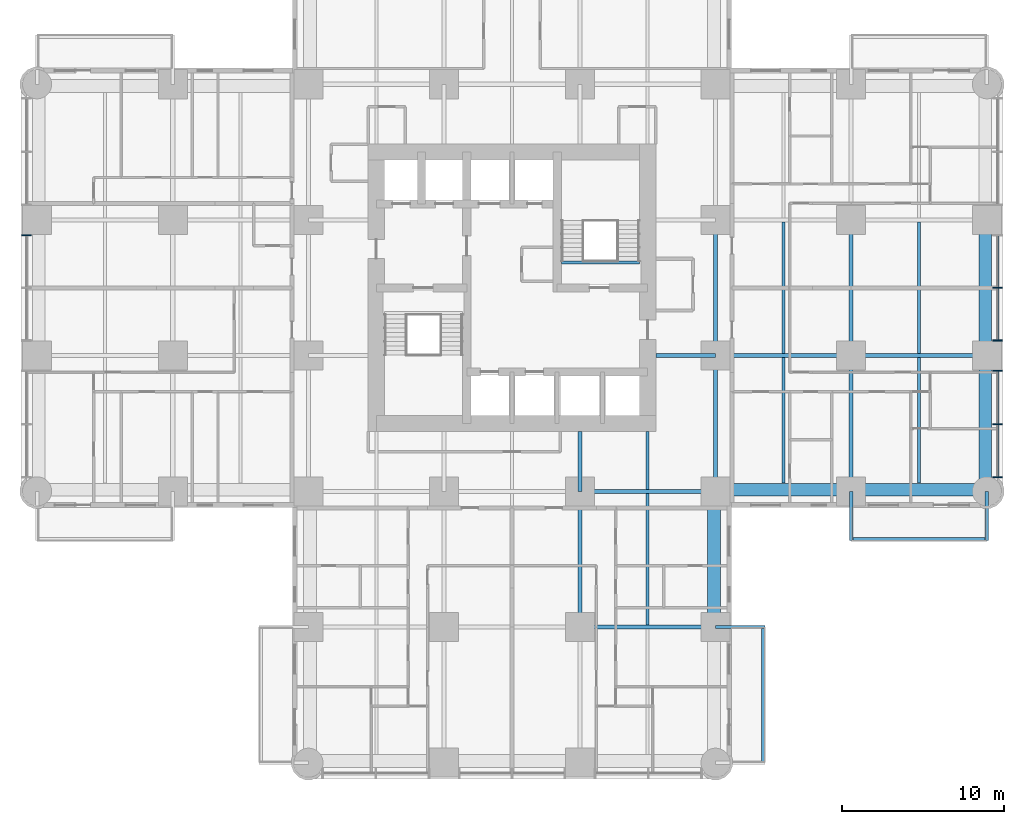
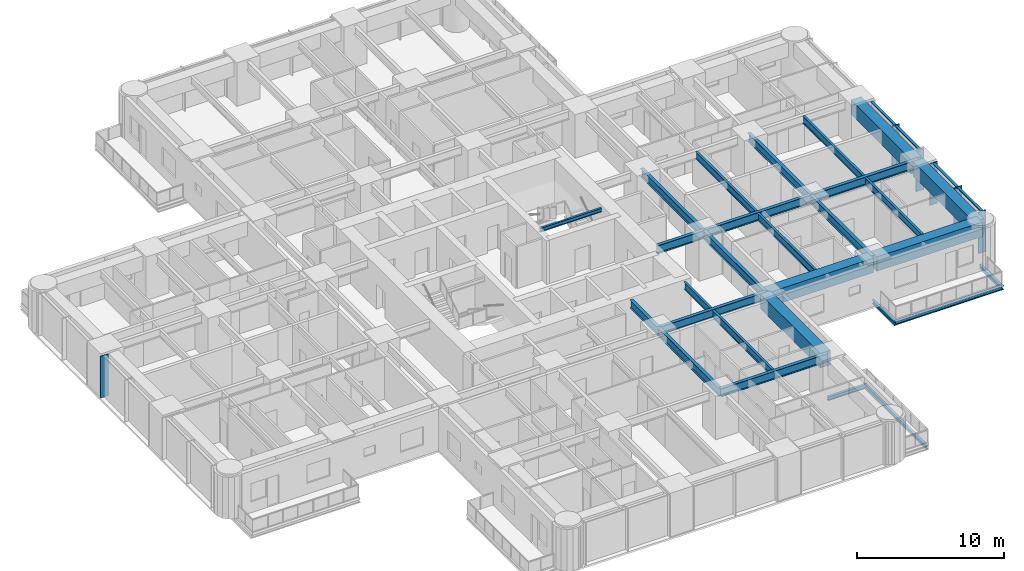
# One storey, part 3 of 17: 28 beams, 10 members, 2 elements without a shape of their own.
"""IFC4 building model written with IfcOpenShell, lengths in metres."""

import ifcopenshell
import ifcopenshell.guid

model = None  # the IFC model being written
_history = None  # IfcOwnerHistory: only IFC2X3 demands one
_inside = {}  # id of a spatial element -> (the spatial element, [elements in it])
_under = {}  # id of a project, library or spatial element -> (it, [spatial elements below it])
_declared = {}  # id of a project -> (the project, [libraries it declares])
_typed = {}  # id of a type object -> (the type object, [elements of that type])
_made_of = {}  # id of a material, layer set ... -> (it, [elements and type objects made of it])


def new_model(schema):
    """Start an empty IFC model of exactly this schema.

    Asked for "IFC4X3", IfcOpenShell would pick the latest addendum, in which some entities
    have other attributes; the version numbers below select the first issue.
    IFC2X3 requires an IfcOwnerHistory on every rooted entity: one is made here for all.
    """
    global model, _history
    if schema == "IFC4X3":
        model = ifcopenshell.file(schema_version=(4, 3, 0, 0))
    else:
        model = ifcopenshell.file(schema=schema)
    _inside.clear()
    _under.clear()
    _declared.clear()
    _typed.clear()
    _made_of.clear()
    _history = None
    if model.schema == "IFC2X3":
        org = make("IfcOrganization", Name="unknown")
        user = make(
            "IfcPersonAndOrganization",
            ThePerson=make("IfcPerson", FamilyName="unknown"),
            TheOrganization=org,
        )
        app = make(
            "IfcApplication",
            ApplicationDeveloper=org,
            Version="unknown",
            ApplicationFullName="unknown",
            ApplicationIdentifier="unknown",
        )
        _history = make(
            "IfcOwnerHistory",
            OwningUser=user,
            OwningApplication=app,
            ChangeAction="ADDED",
            CreationDate=0,
        )
    return model


def make(cls, **values):
    """One entity of the class cls with the attributes given. An attribute that is None is left unset."""
    return model.create_entity(
        cls, **{name: value for name, value in values.items() if value is not None}
    )


def rooted(cls, **values):
    """An entity with a GlobalId (a new one), such as an element, a storey or a relation."""
    return make(cls, GlobalId=ifcopenshell.guid.new(), OwnerHistory=_history, **values)


def si_unit(unit_type, name, prefix=None):
    """IfcSIUnit, for example si_unit("LENGTHUNIT", "METRE", prefix="MILLI")."""
    return make("IfcSIUnit", UnitType=unit_type, Prefix=prefix, Name=name)


def assignment(units):
    """IfcUnitAssignment: the units of a project."""
    return None if units is None else make("IfcUnitAssignment", Units=units)


def point(xyz):
    """IfcCartesianPoint."""
    return None if xyz is None else make("IfcCartesianPoint", Coordinates=xyz)


def direction(xyz):
    """IfcDirection."""
    return None if xyz is None else make("IfcDirection", DirectionRatios=xyz)


def frame(location, z_axis=None, x_axis=None):
    """IfcAxis2Placement3D, a coordinate frame: its origin and axes. An axis left out is left unset."""
    return make(
        "IfcAxis2Placement3D",
        Location=point(location),
        Axis=direction(z_axis),
        RefDirection=direction(x_axis),
    )


def frame_2d(location, x_axis=None):
    """IfcAxis2Placement2D, a coordinate frame in the plane: its origin and x axis."""
    return make(
        "IfcAxis2Placement2D", Location=point(location), RefDirection=direction(x_axis)
    )


def origin():
    """The frame at (0, 0, 0) with its axes left unset."""
    return frame((0.0, 0.0, 0.0))


def origin_2d():
    """The frame at (0, 0) in the plane with its x axis left unset."""
    return frame_2d((0.0, 0.0))


def place(relative_to, where):
    """IfcLocalPlacement: puts the frame where relative to a parent placement (None: the world)."""
    return make(
        "IfcLocalPlacement", PlacementRelTo=relative_to, RelativePlacement=where
    )


def context(
    kind, dimensions, precision=None, world=None, true_north=None, identifier=None
):
    """IfcGeometricRepresentationContext, for example the 3D "Model" context."""
    return make(
        "IfcGeometricRepresentationContext",
        ContextIdentifier=identifier,
        ContextType=kind,
        CoordinateSpaceDimension=dimensions,
        Precision=precision,
        WorldCoordinateSystem=world,
        TrueNorth=true_north,
    )


def subcontext(parent, identifier, kind, view, scale=None):
    """IfcGeometricRepresentationSubContext, for example "Body" below "Model"."""
    return make(
        "IfcGeometricRepresentationSubContext",
        ContextIdentifier=identifier,
        ContextType=kind,
        ParentContext=parent,
        TargetScale=scale,
        TargetView=view,
    )


def project(units=None, contexts=None):
    """IfcProject with its units and contexts."""
    return rooted(
        "IfcProject",
        Name="project",
        RepresentationContexts=contexts,
        UnitsInContext=assignment(units),
    )


def spatial(cls, under=None, at=None, **own):
    """A site, building, storey or space (cls), placed at a placement, below another one or the project."""
    s = rooted(cls, ObjectPlacement=at, **own)
    if under is not None:
        _under.setdefault(under.id(), (under, []))[1].append(s)
    return s


def profile(cls, at=None, kind="AREA", **sizes):
    """A parametric profile (cls). Its sizes go by their IFC names, for example OverallWidth=200.0."""
    return make(cls, ProfileType=kind, Position=at, **sizes)


def rectangle(**sizes):
    """IfcRectangleProfileDef."""
    return profile("IfcRectangleProfileDef", **sizes)


def i_section(**sizes):
    """IfcIShapeProfileDef."""
    return profile("IfcIShapeProfileDef", **sizes)


def extrude(swept, where, along, depth):
    """IfcExtrudedAreaSolid: the profile swept, set in the frame where, extruded along a direction by depth."""
    return make(
        "IfcExtrudedAreaSolid",
        SweptArea=swept,
        Position=where,
        ExtrudedDirection=direction(along),
        Depth=depth,
    )


def shape(context_of_items, identifier, shape_type, items):
    """IfcShapeRepresentation: the items that make up one representation, for example the "Body"."""
    return make(
        "IfcShapeRepresentation",
        ContextOfItems=context_of_items,
        RepresentationIdentifier=identifier,
        RepresentationType=shape_type,
        Items=items,
    )


def material(Name=None, Category=None):
    """IfcMaterial."""
    return make("IfcMaterial", Name=Name, Category=Category)


def material_profile(
    of_material, cross_section, Name=None, Category=None, Priority=None
):
    """IfcMaterialProfile: a cross section and its material."""
    return make(
        "IfcMaterialProfile",
        Name=Name,
        Material=of_material,
        Profile=cross_section,
        Priority=Priority,
        Category=Category,
    )


def profile_set(profiles, Name=None, composite=None):
    """IfcMaterialProfileSet."""
    return make(
        "IfcMaterialProfileSet",
        Name=Name,
        MaterialProfiles=profiles,
        CompositeProfile=composite,
    )


def made_of(thing, what):
    """Note that an element or type object is made of a material, layer set ...; save() writes the relation."""
    if what is not None:
        _made_of.setdefault(what.id(), (what, []))[1].append(thing)
    return thing


def type_object(cls, material=None, **own):
    """A type object (cls), such as IfcWallType, which elements share."""
    return made_of(rooted(cls, **own), material)


def element(
    cls,
    number,
    at=None,
    inside=None,
    cuts=None,
    type_object=None,
    material=None,
    context=None,
    identifier="Body",
    shape_type=None,
    held_by="IfcProductDefinitionShape",
    body=None,
    shapes=None,
    **own,
):
    """One element of the class cls, such as IfcWall. Its Tag is "e" and its number.

    at: its placement. inside: the storey or other place that contains it. cuts: it is an
    opening in that element (IfcRelVoidsElement). A single representation is given by context,
    identifier, shape_type and body (its items); several are given by shapes. held_by: the class
    of the entity that holds the representations. save() writes the other relations.
    """
    e = rooted(cls, Tag="e%d" % number, ObjectPlacement=at, **own)
    if body is not None:
        shapes = [shape(context, identifier, shape_type, body)]
    if shapes is not None:
        e.Representation = make(held_by, Representations=shapes)
    if inside is not None:
        _inside.setdefault(inside.id(), (inside, []))[1].append(e)
    if cuts is not None:
        rooted(
            "IfcRelVoidsElement", RelatingBuildingElement=cuts, RelatedOpeningElement=e
        )
    if type_object is not None:
        _typed.setdefault(type_object.id(), (type_object, []))[1].append(e)
    return made_of(e, material)


def aggregate(whole, parts):
    """IfcRelAggregates: a whole, such as a stair, and the parts it consists of."""
    return rooted("IfcRelAggregates", RelatingObject=whole, RelatedObjects=parts)


def save(model, path):
    """Write the relations noted so far, then the file.

    IfcRelAggregates (storeys below a building ...), IfcRelContainedInSpatialStructure (elements
    in a storey), IfcRelDefinesByType, IfcRelAssociatesMaterial and IfcRelDeclares: one each for
    every whole, place, type object, material and project.
    """
    for whole, parts in _under.values():
        aggregate(whole, parts)
    for where, things in _inside.values():
        rooted(
            "IfcRelContainedInSpatialStructure",
            RelatedElements=things,
            RelatingStructure=where,
        )
    for kind, things in _typed.values():
        rooted("IfcRelDefinesByType", RelatedObjects=things, RelatingType=kind)
    for what, things in _made_of.values():
        rooted("IfcRelAssociatesMaterial", RelatedObjects=things, RelatingMaterial=what)
    for by, libraries in _declared.values():
        rooted("IfcRelDeclares", RelatingContext=by, RelatedDefinitions=libraries)
    model.write(path)


model = new_model("IFC4")

# Units and contexts
model_context = context("Model", 3, precision=1e-05, world=origin(), true_north=direction((0.0, 1.0)))
body_context = subcontext(model_context, "Body", "Model", "MODEL_VIEW")
ifc_project = project(units=[si_unit("LENGTHUNIT", "METRE"), si_unit("AREAUNIT", "SQUARE_METRE"), si_unit("VOLUMEUNIT", "CUBIC_METRE"), si_unit("PLANEANGLEUNIT", "RADIAN"), si_unit("MASSUNIT", "GRAM", prefix="KILO")], contexts=[model_context])

# Site, building, storey
site_placement = place(None, origin())
site = spatial("IfcSite", under=ifc_project, at=site_placement, CompositionType="ELEMENT")
building_placement = place(site_placement, origin())
building = spatial("IfcBuilding", under=site, at=building_placement, Name="Torre Alcanfor", CompositionType="ELEMENT")
storey_placement = place(building_placement, frame((0.0, 0.0, 34.5)))
storey = spatial("IfcBuildingStorey", under=building, at=storey_placement, Name="L07", CompositionType="ELEMENT", Elevation=34.5)

# Beams
ifc_material_1 = material(Name="Steel ASTM A992 Grade 50", Category="steel")
ifc_material_profile_1 = material_profile(ifc_material_1, i_section(OverallWidth=0.205322265625, OverallDepth=0.309814453125, WebThickness=0.00927734375, FlangeThickness=0.016357421875, at=origin_2d()), Name="W12x50")
ifc_profile_set_1 = profile_set([ifc_material_profile_1], Name="Steel ASTM A992 Grade 50")
beam_type_1 = type_object("IfcBeamType", Name="Balcony cantilever beam W12x50", PredefinedType="BEAM", material=ifc_profile_set_1)
for number, where, z_axis, x_axis, name in (
    (1, (50.39990234375, 16.800048828125, -0.35498046875), (0.0, -1.0, 0.0), (1.0, 0.0, 0.0), "Balcony cantilever beam L07-E2 1"),
    (2, (58.800048828125, 16.800048828125, -0.35498046875), (0.0, -1.0, 0.0), (1.0, 0.0, 0.0), "Balcony cantilever beam L07-E2 2"),
    (3, (42.0, 8.39990234375, -0.35498046875), (1.0, 0.0, 0.0), (0.0, 1.0, 0.0), "Balcony cantilever beam L07-S1 1"),
):
    element("IfcBeam", number, at=place(storey_placement, frame(where, z_axis=z_axis, x_axis=x_axis)), inside=storey, type_object=beam_type_1, Name=name, PredefinedType="BEAM", context=body_context, shape_type="SweptSolid", body=[
        extrude(i_section(OverallWidth=0.205322265625, OverallDepth=0.309814453125, WebThickness=0.00927734375, FlangeThickness=0.016357421875, at=origin_2d()), origin(), (0.0, 0.0, 1.0), 3.050048828125),
    ])
ifc_material_2 = material(Name="Steel ASTM A992 Grade 50", Category="steel")
ifc_material_profile_2 = material_profile(ifc_material_2, i_section(OverallWidth=0.203369140625, OverallDepth=0.30224609375, WebThickness=0.007568359375, FlangeThickness=0.01318359375, at=origin_2d()), Name="W12x40")
ifc_profile_set_2 = profile_set([ifc_material_profile_2], Name="Steel ASTM A992 Grade 50")
beam_type_2 = type_object("IfcBeamType", Name="Balcony edge trimmer W12x40", PredefinedType="BEAM", material=ifc_profile_set_2)
beam_1_placement = place(storey_placement, frame((50.39990234375, 13.851806640625, -0.35107421875), z_axis=(1.0, 0.0, 0.0), x_axis=(0.0, 1.0, 0.0)))
element("IfcBeam", 4, at=beam_1_placement, inside=storey, type_object=beam_type_2, Name="Balcony edge trimmer L07-E2", PredefinedType="BEAM", context=body_context, shape_type="SweptSolid", body=[
    extrude(i_section(OverallWidth=0.203369140625, OverallDepth=0.30224609375, WebThickness=0.007568359375, FlangeThickness=0.01318359375, at=origin_2d()), origin(), (0.0, 0.0, 1.0), 8.400146484375),
])
beam_2_placement = place(storey_placement, frame((44.9482421875, 8.39990234375, -0.35107421875), z_axis=(0.0, -1.0, 0.0), x_axis=(1.0, 0.0, 0.0)))
element("IfcBeam", 5, at=beam_2_placement, inside=storey, type_object=beam_type_2, Name="Balcony edge trimmer L07-S1", PredefinedType="BEAM", context=body_context, shape_type="SweptSolid", body=[
    extrude(i_section(OverallWidth=0.203369140625, OverallDepth=0.30224609375, WebThickness=0.007568359375, FlangeThickness=0.01318359375, at=origin_2d()), origin(), (0.0, 0.0, 1.0), 8.39990234375),
])

# Curtain wall, member
ifc_material_3 = material(Name="Aluminium and glass", Category="aluminium")
curtain_wall_type = type_object("IfcCurtainWallType", Name="CW-A unitised apartment glazing with vertical FIN", PredefinedType="NOTDEFINED", material=ifc_material_3)
curtain_wall_1_placement = place(storey_placement, origin())
curtain_wall_1 = element("IfcCurtainWall", 6, at=curtain_wall_1_placement, inside=storey, type_object=curtain_wall_type, Name="Curtain wall CW-A L07 2", PredefinedType="NOTDEFINED")
ifc_material_4 = material(Name="Bronze anodised aluminium", Category="aluminium")
ifc_material_profile_3 = material_profile(ifc_material_4, rectangle(XDim=0.60009765625, YDim=0.06494140625, at=origin_2d()), Name="CW-A mullion 65x600")
ifc_profile_set_3 = profile_set([ifc_material_profile_3], Name="Bronze anodised aluminium")
member_type_1 = type_object("IfcMemberType", Name="CW-A mullion with vertical FIN 65x600", PredefinedType="MULLION", material=ifc_profile_set_3)
member_1_placement = place(storey_placement, frame((-0.64990234375, 32.66259765625, 0.0), z_axis=(0.0, 0.0, 1.0), x_axis=(1.0, 0.0, 0.0)))
member_1 = element("IfcMember", 7, at=member_1_placement, type_object=member_type_1, Name="CW-A mullion 2.1", PredefinedType="MULLION", context=body_context, shape_type="SweptSolid", body=[
    extrude(rectangle(XDim=0.60009765625, YDim=0.06494140625, at=origin_2d()), origin(), (0.0, 0.0, 1.0), 3.449951171875),
])
aggregate(curtain_wall_1, [member_1])

# Curtain wall, members
curtain_wall_2_placement = place(storey_placement, origin())
curtain_wall_2 = element("IfcCurtainWall", 8, at=curtain_wall_2_placement, inside=storey, type_object=curtain_wall_type, Name="Curtain wall CW-A L07 8", PredefinedType="NOTDEFINED")
member_2_placement = place(storey_placement, frame((59.449951171875, 17.6669921875, 0.0), z_axis=(0.0, 0.0, 1.0), x_axis=(-1.0, 0.0, 0.0)))
member_2 = element("IfcMember", 9, at=member_2_placement, type_object=member_type_1, Name="CW-A mullion 1.1", PredefinedType="MULLION", context=body_context, shape_type="SweptSolid", body=[
    extrude(rectangle(XDim=0.60009765625, YDim=0.06494140625, at=origin_2d()), origin(), (0.0, 0.0, 1.0), 3.449951171875),
])
member_3_placement = place(storey_placement, frame((59.449951171875, 20.96484375, 0.0), z_axis=(0.0, 0.0, 1.0), x_axis=(-1.0, 0.0, 0.0)))
member_3 = element("IfcMember", 10, at=member_3_placement, type_object=member_type_1, Name="CW-A mullion 1.2", PredefinedType="MULLION", context=body_context, shape_type="SweptSolid", body=[
    extrude(rectangle(XDim=0.60009765625, YDim=0.06494140625, at=origin_2d()), origin(), (0.0, 0.0, 1.0), 3.449951171875),
])
member_4_placement = place(storey_placement, frame((59.449951171875, 24.262451171875, 0.0), z_axis=(0.0, 0.0, 1.0), x_axis=(-1.0, 0.0, 0.0)))
member_4 = element("IfcMember", 11, at=member_4_placement, type_object=member_type_1, Name="CW-A mullion 1.3", PredefinedType="MULLION", context=body_context, shape_type="SweptSolid", body=[
    extrude(rectangle(XDim=0.60009765625, YDim=0.06494140625, at=origin_2d()), origin(), (0.0, 0.0, 1.0), 3.449951171875),
])
member_5_placement = place(storey_placement, frame((59.449951171875, 26.137451171875, 0.0), z_axis=(0.0, 0.0, 1.0), x_axis=(-1.0, 0.0, 0.0)))
member_5 = element("IfcMember", 12, at=member_5_placement, type_object=member_type_1, Name="CW-A mullion 2.1", PredefinedType="MULLION", context=body_context, shape_type="SweptSolid", body=[
    extrude(rectangle(XDim=0.60009765625, YDim=0.06494140625, at=origin_2d()), origin(), (0.0, 0.0, 1.0), 3.449951171875),
])
member_6_placement = place(storey_placement, frame((59.449951171875, 29.39990234375, 0.0), z_axis=(0.0, 0.0, 1.0), x_axis=(-1.0, 0.0, 0.0)))
member_6 = element("IfcMember", 13, at=member_6_placement, type_object=member_type_1, Name="CW-A mullion 2.2", PredefinedType="MULLION", context=body_context, shape_type="SweptSolid", body=[
    extrude(rectangle(XDim=0.60009765625, YDim=0.06494140625, at=origin_2d()), origin(), (0.0, 0.0, 1.0), 3.449951171875),
])
ifc_material_5 = material(Name="Extruded aluminium", Category="aluminium")
ifc_material_profile_4 = material_profile(ifc_material_5, rectangle(XDim=0.199951171875, YDim=0.06494140625, at=origin_2d()), Name="CW-A transom 200x65")
ifc_profile_set_4 = profile_set([ifc_material_profile_4], Name="Extruded aluminium")
member_type_2 = type_object("IfcMemberType", Name="CW-A transom 65x200", PredefinedType="USERDEFINED", material=ifc_profile_set_4)
member_7_placement = place(storey_placement, frame((59.449951171875, 17.699462890625, 3.41748046875), z_axis=(0.0, 1.0, 0.0), x_axis=(-1.0, 0.0, 0.0)))
member_7 = element("IfcMember", 14, at=member_7_placement, type_object=member_type_2, Name="CW-A transom 1.1.2", ObjectType="TRANSOM", PredefinedType="USERDEFINED", context=body_context, shape_type="SweptSolid", body=[
    extrude(rectangle(XDim=0.199951171875, YDim=0.06494140625, at=origin_2d()), origin(), (0.0, 0.0, 1.0), 3.232666015625),
])
member_8_placement = place(storey_placement, frame((59.449951171875, 20.997314453125, 3.41748046875), z_axis=(0.0, 1.0, 0.0), x_axis=(-1.0, 0.0, 0.0)))
member_8 = element("IfcMember", 15, at=member_8_placement, type_object=member_type_2, Name="CW-A transom 1.2.2", ObjectType="TRANSOM", PredefinedType="USERDEFINED", context=body_context, shape_type="SweptSolid", body=[
    extrude(rectangle(XDim=0.199951171875, YDim=0.06494140625, at=origin_2d()), origin(), (0.0, 0.0, 1.0), 3.232666015625),
])
member_9_placement = place(storey_placement, frame((59.449951171875, 26.169921875, 3.41748046875), z_axis=(0.0, 1.0, 0.0), x_axis=(-1.0, 0.0, 0.0)))
member_9 = element("IfcMember", 16, at=member_9_placement, type_object=member_type_2, Name="CW-A transom 2.1.2", ObjectType="TRANSOM", PredefinedType="USERDEFINED", context=body_context, shape_type="SweptSolid", body=[
    extrude(rectangle(XDim=0.199951171875, YDim=0.06494140625, at=origin_2d()), origin(), (0.0, 0.0, 1.0), 3.197509765625),
])
member_10_placement = place(storey_placement, frame((59.449951171875, 29.4326171875, 3.41748046875), z_axis=(0.0, 1.0, 0.0), x_axis=(-1.0, 0.0, 0.0)))
member_10 = element("IfcMember", 17, at=member_10_placement, type_object=member_type_2, Name="CW-A transom 2.2.2", ObjectType="TRANSOM", PredefinedType="USERDEFINED", context=body_context, shape_type="SweptSolid", body=[
    extrude(rectangle(XDim=0.199951171875, YDim=0.06494140625, at=origin_2d()), origin(), (0.0, 0.0, 1.0), 3.197265625),
])
aggregate(curtain_wall_2, [member_2, member_3, member_4, member_7, member_8, member_5, member_6, member_9, member_10])

# Beams
ifc_material_6 = material(Name="Steel ASTM A992 Grade 50", Category="steel")
ifc_material_profile_5 = material_profile(ifc_material_6, i_section(OverallWidth=0.25390625, OverallDepth=0.683349609375, WebThickness=0.012451171875, FlangeThickness=0.01904296875, at=origin_2d()), Name="W27x94")
ifc_profile_set_5 = profile_set([ifc_material_profile_5], Name="Steel ASTM A992 Grade 50")
beam_type_3 = type_object("IfcBeamType", Name="Girder W27x94", PredefinedType="BEAM", material=ifc_profile_set_5)
for number, where, z_axis, x_axis, name in (
    (18, (33.60009765625, 8.39990234375, 3.1083984375), (1.0, 0.0, 0.0), (0.0, 1.0, 0.0), "Beam 5D-6D under L08"),
    (19, (33.60009765625, 16.800048828125, 3.1083984375), (1.0, 0.0, 0.0), (0.0, 1.0, 0.0), "Beam 5E-6E under L08"),
    (20, (42.0, 25.199951171875, 3.1083984375), (1.0, 0.0, 0.0), (0.0, 1.0, 0.0), "Beam 6F-7F under L08"),
):
    element("IfcBeam", number, at=place(storey_placement, frame(where, z_axis=z_axis, x_axis=x_axis)), inside=storey, type_object=beam_type_3, Name=name, PredefinedType="BEAM", context=body_context, shape_type="SweptSolid", body=[
        extrude(i_section(OverallWidth=0.25390625, OverallDepth=0.683349609375, WebThickness=0.012451171875, FlangeThickness=0.01904296875, at=origin_2d()), origin(), (0.0, 0.0, 1.0), 8.39990234375),
    ])
for number, where, z_axis, x_axis, name in (
    (21, (50.39990234375, 25.199951171875, 3.1083984375), (1.0, 0.0, 0.0), (0.0, 1.0, 0.0), "Beam 7F-8F under L08"),
    (22, (33.60009765625, 8.39990234375, 3.1083984375), (0.0, 1.0, 0.0), (-1.0, 0.0, 0.0), "Beam 5D-5E under L08"),
):
    element("IfcBeam", number, at=place(storey_placement, frame(where, z_axis=z_axis, x_axis=x_axis)), inside=storey, type_object=beam_type_3, Name=name, PredefinedType="BEAM", context=body_context, shape_type="SweptSolid", body=[
        extrude(i_section(OverallWidth=0.25390625, OverallDepth=0.683349609375, WebThickness=0.012451171875, FlangeThickness=0.01904296875, at=origin_2d()), origin(), (0.0, 0.0, 1.0), 8.400146484375),
    ])
beam_3_placement = place(storey_placement, frame((42.0, 16.800048828125, 3.1083984375), z_axis=(0.0, 1.0, 0.0), x_axis=(-1.0, 0.0, 0.0)))
element("IfcBeam", 23, at=beam_3_placement, inside=storey, type_object=beam_type_3, Name="Beam 6E-6F under L08", PredefinedType="BEAM", context=body_context, shape_type="SweptSolid", body=[
    extrude(i_section(OverallWidth=0.25390625, OverallDepth=0.683349609375, WebThickness=0.012451171875, FlangeThickness=0.01904296875, at=origin_2d()), origin(), (0.0, 0.0, 1.0), 8.39990234375),
])
beam_4_placement = place(storey_placement, frame((42.0, 25.199951171875, 3.1083984375), z_axis=(0.0, 1.0, 0.0), x_axis=(-1.0, 0.0, 0.0)))
element("IfcBeam", 24, at=beam_4_placement, inside=storey, type_object=beam_type_3, Name="Beam 6F-6G under L08", PredefinedType="BEAM", context=body_context, shape_type="SweptSolid", body=[
    extrude(i_section(OverallWidth=0.25390625, OverallDepth=0.683349609375, WebThickness=0.012451171875, FlangeThickness=0.01904296875, at=origin_2d()), origin(), (0.0, 0.0, 1.0), 8.400146484375),
])
beam_5_placement = place(storey_placement, frame((50.39990234375, 16.800048828125, 3.1083984375), z_axis=(0.0, 1.0, 0.0), x_axis=(-1.0, 0.0, 0.0)))
element("IfcBeam", 25, at=beam_5_placement, inside=storey, type_object=beam_type_3, Name="Beam 7E-7F under L08", PredefinedType="BEAM", context=body_context, shape_type="SweptSolid", body=[
    extrude(i_section(OverallWidth=0.25390625, OverallDepth=0.683349609375, WebThickness=0.012451171875, FlangeThickness=0.01904296875, at=origin_2d()), origin(), (0.0, 0.0, 1.0), 8.39990234375),
])
beam_6_placement = place(storey_placement, frame((50.39990234375, 25.199951171875, 3.1083984375), z_axis=(0.0, 1.0, 0.0), x_axis=(-1.0, 0.0, 0.0)))
element("IfcBeam", 26, at=beam_6_placement, inside=storey, type_object=beam_type_3, Name="Beam 7F-7G under L08", PredefinedType="BEAM", context=body_context, shape_type="SweptSolid", body=[
    extrude(i_section(OverallWidth=0.25390625, OverallDepth=0.683349609375, WebThickness=0.012451171875, FlangeThickness=0.01904296875, at=origin_2d()), origin(), (0.0, 0.0, 1.0), 8.400146484375),
])
ifc_material_7 = material(Name="Steel ASTM A992 Grade 50", Category="steel")
ifc_material_profile_6 = material_profile(ifc_material_7, i_section(OverallWidth=0.25390625, OverallDepth=0.683349609375, WebThickness=0.012451171875, FlangeThickness=0.01904296875, at=origin_2d()), Name="W27x94")
ifc_profile_set_6 = profile_set([ifc_material_profile_6], Name="Steel ASTM A992 Grade 50")
beam_type_4 = type_object("IfcBeamType", Name="Girder, part bay W27x94", PredefinedType="BEAM", material=ifc_profile_set_6)
for number, where, z_axis, x_axis, name in (
    (27, (33.60009765625, 16.800048828125, 3.1083984375), (0.0, 1.0, 0.0), (-1.0, 0.0, 0.0), "Beam 5E-520_5 under L08"),
    (28, (42.0, 25.199951171875, 3.1083984375), (-1.0, 0.0, 0.0), (0.0, -1.0, 0.0), "Beam 6F-38_3F under L08"),
):
    element("IfcBeam", number, at=place(storey_placement, frame(where, z_axis=z_axis, x_axis=x_axis)), inside=storey, type_object=beam_type_4, Name=name, PredefinedType="BEAM", context=body_context, shape_type="SweptSolid", body=[
        extrude(i_section(OverallWidth=0.25390625, OverallDepth=0.683349609375, WebThickness=0.012451171875, FlangeThickness=0.01904296875, at=origin_2d()), origin(), (0.0, 0.0, 1.0), 3.699951171875),
    ])
ifc_material_8 = material(Name="Concrete f'c 70 MPa", Category="concrete")
ifc_material_profile_7 = material_profile(ifc_material_8, rectangle(XDim=0.800048828125, YDim=1.199951171875, at=origin_2d()), Name="800x1200")
ifc_profile_set_7 = profile_set([ifc_material_profile_7], Name="Concrete f'c 70 MPa")
beam_type_5 = type_object("IfcBeamType", Name="RC perimeter beam 800x1200", PredefinedType="BEAM", material=ifc_profile_set_7)
beam_7_placement = place(storey_placement, frame((42.126953125, 16.89990234375, 2.85009765625), z_axis=(1.0, 0.0, 0.0), x_axis=(0.0, 1.0, 0.0)))
element("IfcBeam", 29, at=beam_7_placement, inside=storey, type_object=beam_type_5, Name="Beam 6E-7E under L08", PredefinedType="BEAM", context=body_context, shape_type="SweptSolid", body=[
    extrude(rectangle(XDim=0.800048828125, YDim=1.199951171875, at=origin_2d()), origin(), (0.0, 0.0, 1.0), 8.14599609375),
])
beam_8_placement = place(storey_placement, frame((50.527099609375, 16.89990234375, 2.85009765625), z_axis=(1.0, 0.0, 0.0), x_axis=(0.0, 1.0, 0.0)))
element("IfcBeam", 30, at=beam_8_placement, inside=storey, type_object=beam_type_5, Name="Beam 7E-8E under L08", PredefinedType="BEAM", context=body_context, shape_type="SweptSolid", body=[
    extrude(rectangle(XDim=0.800048828125, YDim=1.199951171875, at=origin_2d()), origin(), (0.0, 0.0, 1.0), 8.27294921875),
])
beam_9_placement = place(storey_placement, frame((41.89990234375, 8.527099609375, 2.85009765625), z_axis=(0.0, 1.0, 0.0), x_axis=(-1.0, 0.0, 0.0)))
element("IfcBeam", 31, at=beam_9_placement, inside=storey, type_object=beam_type_5, Name="Beam 6D-6E under L08", PredefinedType="BEAM", context=body_context, shape_type="SweptSolid", body=[
    extrude(rectangle(XDim=0.800048828125, YDim=1.199951171875, at=origin_2d()), origin(), (0.0, 0.0, 1.0), 8.14599609375),
])
beam_10_placement = place(storey_placement, frame((58.699951171875, 16.800048828125, 2.85009765625), z_axis=(0.0, 1.0, 0.0), x_axis=(-1.0, 0.0, 0.0)))
element("IfcBeam", 32, at=beam_10_placement, inside=storey, type_object=beam_type_5, Name="Beam 8E-8F under L08", PredefinedType="BEAM", context=body_context, shape_type="SweptSolid", body=[
    extrude(rectangle(XDim=0.800048828125, YDim=1.199951171875, at=origin_2d()), origin(), (0.0, 0.0, 1.0), 8.27294921875),
])
beam_11_placement = place(storey_placement, frame((58.699951171875, 25.326904296875, 2.85009765625), z_axis=(0.0, 1.0, 0.0), x_axis=(-1.0, 0.0, 0.0)))
element("IfcBeam", 33, at=beam_11_placement, inside=storey, type_object=beam_type_5, Name="Beam 8F-8G under L08", PredefinedType="BEAM", context=body_context, shape_type="SweptSolid", body=[
    extrude(rectangle(XDim=0.800048828125, YDim=1.199951171875, at=origin_2d()), origin(), (0.0, 0.0, 1.0), 8.14599609375),
])
ifc_material_9 = material(Name="Steel ASTM A992 Grade 50", Category="steel")
ifc_material_profile_8 = material_profile(ifc_material_9, i_section(OverallWidth=0.1787109375, OverallDepth=0.60205078125, WebThickness=0.010986328125, FlangeThickness=0.014892578125, at=origin_2d()), Name="W24x62")
ifc_profile_set_8 = profile_set([ifc_material_profile_8], Name="Steel ASTM A992 Grade 50")
beam_type_6 = type_object("IfcBeamType", Name="Secondary beam W24x62", PredefinedType="BEAM", material=ifc_profile_set_8)
beam_12_placement = place(storey_placement, frame((37.800048828125, 8.527099609375, 3.14892578125), z_axis=(0.0, 1.0, 0.0), x_axis=(-1.0, 0.0, 0.0)))
element("IfcBeam", 34, at=beam_12_placement, inside=storey, type_object=beam_type_6, Name="Beam 37_8D-37_8E under L08", PredefinedType="BEAM", context=body_context, shape_type="SweptSolid", body=[
    extrude(i_section(OverallWidth=0.1787109375, OverallDepth=0.60205078125, WebThickness=0.010986328125, FlangeThickness=0.014892578125, at=origin_2d()), origin(), (0.0, 0.0, 1.0), 8.14599609375),
])
beam_13_placement = place(storey_placement, frame((46.199951171875, 17.300048828125, 3.14892578125), z_axis=(0.0, 1.0, 0.0), x_axis=(-1.0, 0.0, 0.0)))
element("IfcBeam", 35, at=beam_13_placement, inside=storey, type_object=beam_type_6, Name="Beam 46_2E-46_2F under L08", PredefinedType="BEAM", context=body_context, shape_type="SweptSolid", body=[
    extrude(i_section(OverallWidth=0.1787109375, OverallDepth=0.60205078125, WebThickness=0.010986328125, FlangeThickness=0.014892578125, at=origin_2d()), origin(), (0.0, 0.0, 1.0), 7.77294921875),
])
beam_14_placement = place(storey_placement, frame((46.199951171875, 25.326904296875, 3.14892578125), z_axis=(0.0, 1.0, 0.0), x_axis=(-1.0, 0.0, 0.0)))
element("IfcBeam", 36, at=beam_14_placement, inside=storey, type_object=beam_type_6, Name="Beam 46_2F-46_2G under L08", PredefinedType="BEAM", context=body_context, shape_type="SweptSolid", body=[
    extrude(i_section(OverallWidth=0.1787109375, OverallDepth=0.60205078125, WebThickness=0.010986328125, FlangeThickness=0.014892578125, at=origin_2d()), origin(), (0.0, 0.0, 1.0), 8.14599609375),
])
beam_15_placement = place(storey_placement, frame((54.60009765625, 17.300048828125, 3.14892578125), z_axis=(0.0, 1.0, 0.0), x_axis=(-1.0, 0.0, 0.0)))
element("IfcBeam", 37, at=beam_15_placement, inside=storey, type_object=beam_type_6, Name="Beam 54_6E-54_6F under L08", PredefinedType="BEAM", context=body_context, shape_type="SweptSolid", body=[
    extrude(i_section(OverallWidth=0.1787109375, OverallDepth=0.60205078125, WebThickness=0.010986328125, FlangeThickness=0.014892578125, at=origin_2d()), origin(), (0.0, 0.0, 1.0), 7.77294921875),
])
beam_16_placement = place(storey_placement, frame((54.60009765625, 25.326904296875, 3.14892578125), z_axis=(0.0, 1.0, 0.0), x_axis=(-1.0, 0.0, 0.0)))
element("IfcBeam", 38, at=beam_16_placement, inside=storey, type_object=beam_type_6, Name="Beam 54_6F-54_6G under L08", PredefinedType="BEAM", context=body_context, shape_type="SweptSolid", body=[
    extrude(i_section(OverallWidth=0.1787109375, OverallDepth=0.60205078125, WebThickness=0.010986328125, FlangeThickness=0.014892578125, at=origin_2d()), origin(), (0.0, 0.0, 1.0), 8.14599609375),
])
ifc_material_10 = material(Name="Steel ASTM A992 Grade 50", Category="steel")
ifc_material_profile_9 = material_profile(ifc_material_10, i_section(OverallWidth=0.1787109375, OverallDepth=0.60205078125, WebThickness=0.010986328125, FlangeThickness=0.014892578125, at=origin_2d()), Name="W24x62")
ifc_profile_set_9 = profile_set([ifc_material_profile_9], Name="Steel ASTM A992 Grade 50")
beam_type_7 = type_object("IfcBeamType", Name="Secondary beam, part bay W24x62", PredefinedType="BEAM", material=ifc_profile_set_9)
beam_17_placement = place(storey_placement, frame((37.800048828125, 16.927001953125, 3.14892578125), z_axis=(0.0, 1.0, 0.0), x_axis=(-1.0, 0.0, 0.0)))
element("IfcBeam", 39, at=beam_17_placement, inside=storey, type_object=beam_type_7, Name="Beam 37_8E-37_820_5 under L08", PredefinedType="BEAM", context=body_context, shape_type="SweptSolid", body=[
    extrude(i_section(OverallWidth=0.1787109375, OverallDepth=0.60205078125, WebThickness=0.010986328125, FlangeThickness=0.014892578125, at=origin_2d()), origin(), (0.0, 0.0, 1.0), 3.572998046875),
])
ifc_material_11 = material(Name="Steel ASTM A992 Grade 50", Category="steel")
ifc_material_profile_10 = material_profile(ifc_material_11, i_section(OverallWidth=0.164794921875, OverallDepth=0.309814453125, WebThickness=0.005859375, FlangeThickness=0.009765625, at=origin_2d()), Name="W12x26")
ifc_profile_set_10 = profile_set([ifc_material_profile_10], Name="Steel ASTM A992 Grade 50")
beam_type_8 = type_object("IfcBeamType", Name="Stair landing beam W12x26", PredefinedType="BEAM", material=ifc_profile_set_10)
beam_18_placement = place(storey_placement, frame((32.449951171875, 30.962646484375, 3.2451171875), z_axis=(1.0, 0.0, 0.0), x_axis=(0.0, 1.0, 0.0)))
element("IfcBeam", 40, at=beam_18_placement, inside=storey, type_object=beam_type_8, Name="Landing trimmer S2 L08", PredefinedType="BEAM", context=body_context, shape_type="SweptSolid", body=[
    extrude(i_section(OverallWidth=0.164794921875, OverallDepth=0.309814453125, WebThickness=0.005859375, FlangeThickness=0.009765625, at=origin_2d()), origin(), (0.0, 0.0, 1.0), 4.85009765625),
])

save(model, "model.ifc")
